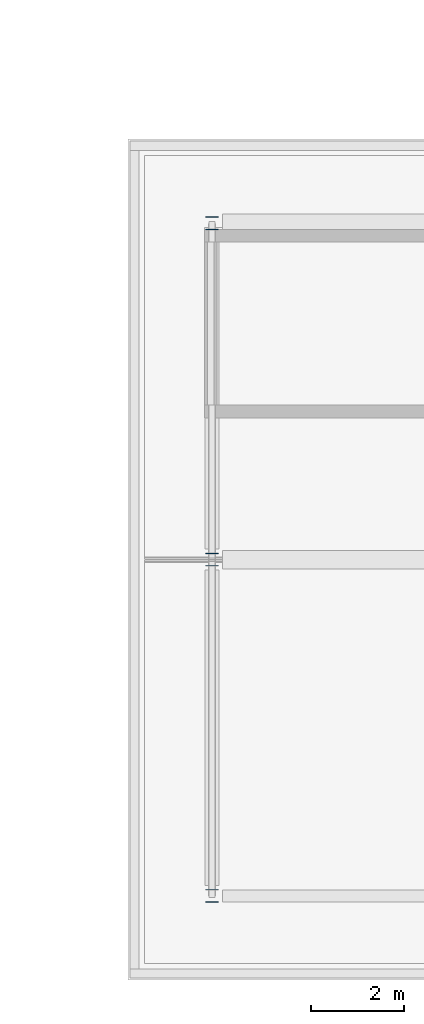
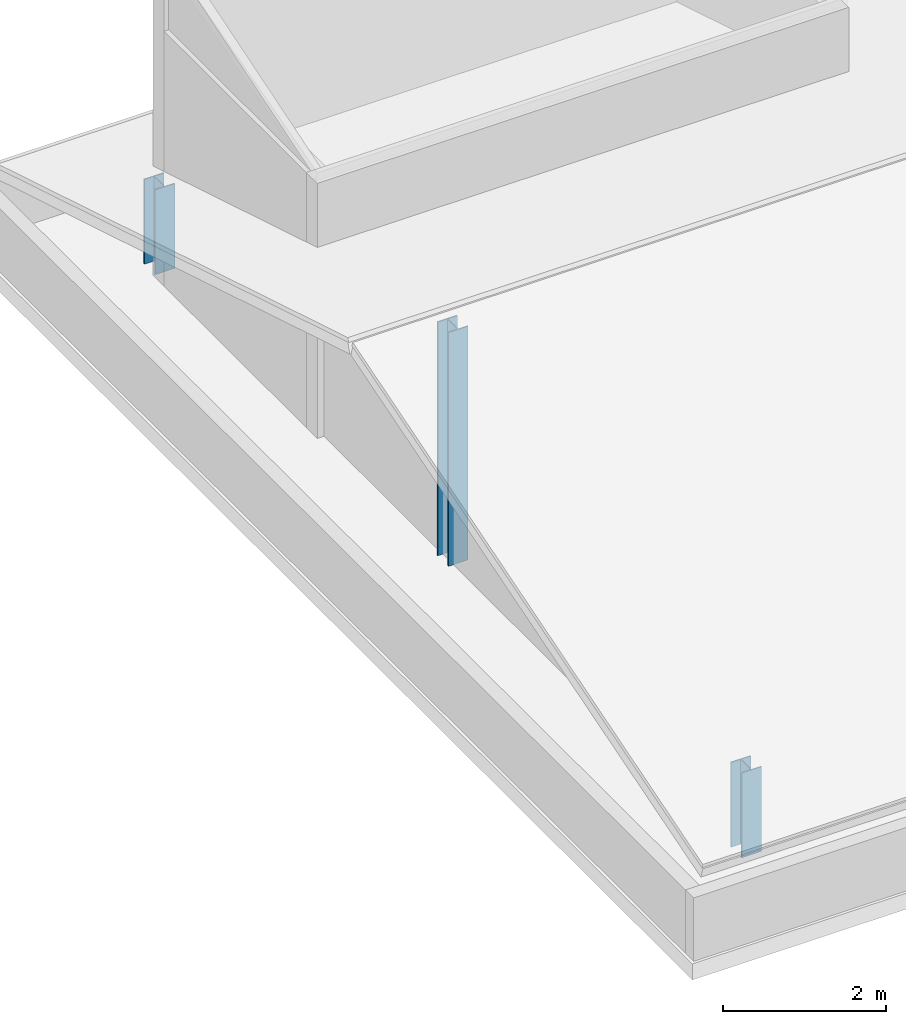
# One storey, part 1 of 45: 3 columns.
"""IFC4 building model written with IfcOpenShell, lengths in metres."""

import ifcopenshell
import ifcopenshell.guid

model = None  # the IFC model being written
_history = None  # IfcOwnerHistory: only IFC2X3 demands one
_inside = {}  # id of a spatial element -> (the spatial element, [elements in it])
_under = {}  # id of a project, library or spatial element -> (it, [spatial elements below it])
_declared = {}  # id of a project -> (the project, [libraries it declares])
_typed = {}  # id of a type object -> (the type object, [elements of that type])
_made_of = {}  # id of a material, layer set ... -> (it, [elements and type objects made of it])


def new_model(schema):
    """Start an empty IFC model of exactly this schema.

    Asked for "IFC4X3", IfcOpenShell would pick the latest addendum, in which some entities
    have other attributes; the version numbers below select the first issue.
    IFC2X3 requires an IfcOwnerHistory on every rooted entity: one is made here for all.
    """
    global model, _history
    if schema == "IFC4X3":
        model = ifcopenshell.file(schema_version=(4, 3, 0, 0))
    else:
        model = ifcopenshell.file(schema=schema)
    _inside.clear()
    _under.clear()
    _declared.clear()
    _typed.clear()
    _made_of.clear()
    _history = None
    if model.schema == "IFC2X3":
        org = make("IfcOrganization", Name="unknown")
        user = make(
            "IfcPersonAndOrganization",
            ThePerson=make("IfcPerson", FamilyName="unknown"),
            TheOrganization=org,
        )
        app = make(
            "IfcApplication",
            ApplicationDeveloper=org,
            Version="unknown",
            ApplicationFullName="unknown",
            ApplicationIdentifier="unknown",
        )
        _history = make(
            "IfcOwnerHistory",
            OwningUser=user,
            OwningApplication=app,
            ChangeAction="ADDED",
            CreationDate=0,
        )
    return model


def make(cls, **values):
    """One entity of the class cls with the attributes given. An attribute that is None is left unset."""
    return model.create_entity(
        cls, **{name: value for name, value in values.items() if value is not None}
    )


def rooted(cls, **values):
    """An entity with a GlobalId (a new one), such as an element, a storey or a relation."""
    return make(cls, GlobalId=ifcopenshell.guid.new(), OwnerHistory=_history, **values)


def si_unit(unit_type, name, prefix=None):
    """IfcSIUnit, for example si_unit("LENGTHUNIT", "METRE", prefix="MILLI")."""
    return make("IfcSIUnit", UnitType=unit_type, Prefix=prefix, Name=name)


def assignment(units):
    """IfcUnitAssignment: the units of a project."""
    return None if units is None else make("IfcUnitAssignment", Units=units)


def point(xyz):
    """IfcCartesianPoint."""
    return None if xyz is None else make("IfcCartesianPoint", Coordinates=xyz)


def direction(xyz):
    """IfcDirection."""
    return None if xyz is None else make("IfcDirection", DirectionRatios=xyz)


def frame(location, z_axis=None, x_axis=None):
    """IfcAxis2Placement3D, a coordinate frame: its origin and axes. An axis left out is left unset."""
    return make(
        "IfcAxis2Placement3D",
        Location=point(location),
        Axis=direction(z_axis),
        RefDirection=direction(x_axis),
    )


def frame_2d(location, x_axis=None):
    """IfcAxis2Placement2D, a coordinate frame in the plane: its origin and x axis."""
    return make(
        "IfcAxis2Placement2D", Location=point(location), RefDirection=direction(x_axis)
    )


def origin():
    """The frame at (0, 0, 0) with its axes left unset."""
    return frame((0.0, 0.0, 0.0))


def origin_2d():
    """The frame at (0, 0) in the plane with its x axis left unset."""
    return frame_2d((0.0, 0.0))


def place(relative_to, where):
    """IfcLocalPlacement: puts the frame where relative to a parent placement (None: the world)."""
    return make(
        "IfcLocalPlacement", PlacementRelTo=relative_to, RelativePlacement=where
    )


def context(
    kind, dimensions, precision=None, world=None, true_north=None, identifier=None
):
    """IfcGeometricRepresentationContext, for example the 3D "Model" context."""
    return make(
        "IfcGeometricRepresentationContext",
        ContextIdentifier=identifier,
        ContextType=kind,
        CoordinateSpaceDimension=dimensions,
        Precision=precision,
        WorldCoordinateSystem=world,
        TrueNorth=true_north,
    )


def subcontext(parent, identifier, kind, view, scale=None):
    """IfcGeometricRepresentationSubContext, for example "Body" below "Model"."""
    return make(
        "IfcGeometricRepresentationSubContext",
        ContextIdentifier=identifier,
        ContextType=kind,
        ParentContext=parent,
        TargetScale=scale,
        TargetView=view,
    )


def project(units=None, contexts=None):
    """IfcProject with its units and contexts."""
    return rooted(
        "IfcProject",
        Name="project",
        RepresentationContexts=contexts,
        UnitsInContext=assignment(units),
    )


def spatial(cls, under=None, at=None, **own):
    """A site, building, storey or space (cls), placed at a placement, below another one or the project."""
    s = rooted(cls, ObjectPlacement=at, **own)
    if under is not None:
        _under.setdefault(under.id(), (under, []))[1].append(s)
    return s


def profile(cls, at=None, kind="AREA", **sizes):
    """A parametric profile (cls). Its sizes go by their IFC names, for example OverallWidth=200.0."""
    return make(cls, ProfileType=kind, Position=at, **sizes)


def i_section(**sizes):
    """IfcIShapeProfileDef."""
    return profile("IfcIShapeProfileDef", **sizes)


def extrude(swept, where, along, depth):
    """IfcExtrudedAreaSolid: the profile swept, set in the frame where, extruded along a direction by depth."""
    return make(
        "IfcExtrudedAreaSolid",
        SweptArea=swept,
        Position=where,
        ExtrudedDirection=direction(along),
        Depth=depth,
    )


def shape(context_of_items, identifier, shape_type, items):
    """IfcShapeRepresentation: the items that make up one representation, for example the "Body"."""
    return make(
        "IfcShapeRepresentation",
        ContextOfItems=context_of_items,
        RepresentationIdentifier=identifier,
        RepresentationType=shape_type,
        Items=items,
    )


def material(Name=None, Category=None):
    """IfcMaterial."""
    return make("IfcMaterial", Name=Name, Category=Category)


def material_profile(
    of_material, cross_section, Name=None, Category=None, Priority=None
):
    """IfcMaterialProfile: a cross section and its material."""
    return make(
        "IfcMaterialProfile",
        Name=Name,
        Material=of_material,
        Profile=cross_section,
        Priority=Priority,
        Category=Category,
    )


def profile_set(profiles, Name=None, composite=None):
    """IfcMaterialProfileSet."""
    return make(
        "IfcMaterialProfileSet",
        Name=Name,
        MaterialProfiles=profiles,
        CompositeProfile=composite,
    )


def made_of(thing, what):
    """Note that an element or type object is made of a material, layer set ...; save() writes the relation."""
    if what is not None:
        _made_of.setdefault(what.id(), (what, []))[1].append(thing)
    return thing


def type_object(cls, material=None, **own):
    """A type object (cls), such as IfcWallType, which elements share."""
    return made_of(rooted(cls, **own), material)


def element(
    cls,
    number,
    at=None,
    inside=None,
    cuts=None,
    type_object=None,
    material=None,
    context=None,
    identifier="Body",
    shape_type=None,
    held_by="IfcProductDefinitionShape",
    body=None,
    shapes=None,
    **own,
):
    """One element of the class cls, such as IfcWall. Its Tag is "e" and its number.

    at: its placement. inside: the storey or other place that contains it. cuts: it is an
    opening in that element (IfcRelVoidsElement). A single representation is given by context,
    identifier, shape_type and body (its items); several are given by shapes. held_by: the class
    of the entity that holds the representations. save() writes the other relations.
    """
    e = rooted(cls, Tag="e%d" % number, ObjectPlacement=at, **own)
    if body is not None:
        shapes = [shape(context, identifier, shape_type, body)]
    if shapes is not None:
        e.Representation = make(held_by, Representations=shapes)
    if inside is not None:
        _inside.setdefault(inside.id(), (inside, []))[1].append(e)
    if cuts is not None:
        rooted(
            "IfcRelVoidsElement", RelatingBuildingElement=cuts, RelatedOpeningElement=e
        )
    if type_object is not None:
        _typed.setdefault(type_object.id(), (type_object, []))[1].append(e)
    return made_of(e, material)


def aggregate(whole, parts):
    """IfcRelAggregates: a whole, such as a stair, and the parts it consists of."""
    return rooted("IfcRelAggregates", RelatingObject=whole, RelatedObjects=parts)


def save(model, path):
    """Write the relations noted so far, then the file.

    IfcRelAggregates (storeys below a building ...), IfcRelContainedInSpatialStructure (elements
    in a storey), IfcRelDefinesByType, IfcRelAssociatesMaterial and IfcRelDeclares: one each for
    every whole, place, type object, material and project.
    """
    for whole, parts in _under.values():
        aggregate(whole, parts)
    for where, things in _inside.values():
        rooted(
            "IfcRelContainedInSpatialStructure",
            RelatedElements=things,
            RelatingStructure=where,
        )
    for kind, things in _typed.values():
        rooted("IfcRelDefinesByType", RelatedObjects=things, RelatingType=kind)
    for what, things in _made_of.values():
        rooted("IfcRelAssociatesMaterial", RelatedObjects=things, RelatingMaterial=what)
    for by, libraries in _declared.values():
        rooted("IfcRelDeclares", RelatingContext=by, RelatedDefinitions=libraries)
    model.write(path)


model = new_model("IFC4")

# Units and contexts
model_context = context("Model", 3, precision=1e-05, world=origin(), true_north=direction((0.0, 1.0)))
body_context = subcontext(model_context, "Body", "Model", "MODEL_VIEW")
ifc_project = project(units=[si_unit("LENGTHUNIT", "METRE"), si_unit("AREAUNIT", "SQUARE_METRE"), si_unit("VOLUMEUNIT", "CUBIC_METRE"), si_unit("PLANEANGLEUNIT", "RADIAN"), si_unit("MASSUNIT", "GRAM", prefix="KILO")], contexts=[model_context])

# Site, building, storey
site_placement = place(None, origin())
site = spatial("IfcSite", under=ifc_project, at=site_placement, CompositionType="ELEMENT")
building_placement = place(site_placement, origin())
building = spatial("IfcBuilding", under=site, at=building_placement, Name="Suanplinth Sawtooth Commons", CompositionType="ELEMENT")
storey_placement = place(building_placement, frame((0.0, 0.0, 38.0)))
storey = spatial("IfcBuildingStorey", under=building, at=storey_placement, Name="L11", CompositionType="ELEMENT", Elevation=38.0)

# Columns
ifc_material = material(Name="Steel S355JR", Category="steel")
ifc_material_profile = material_profile(ifc_material, i_section(OverallWidth=0.280029296875, OverallDepth=0.280029296875, WebThickness=0.010498046875, FlangeThickness=0.01806640625, at=origin_2d()), Name="HEB 280")
ifc_profile_set = profile_set([ifc_material_profile], Name="Steel S355JR")
column_type = type_object("IfcColumnType", Name="C-11", PredefinedType="COLUMN", material=ifc_profile_set)
column_1_placement = place(storey_placement, frame((136.800048828125, 0.0, 0.0), z_axis=(0.0, 0.0, 1.0), x_axis=(1.0, 0.0, 0.0)))
element("IfcColumn", 1, at=column_1_placement, inside=storey, type_object=column_type, Name="Crown Post C 20", PredefinedType="COLUMN", context=body_context, shape_type="SweptSolid", body=[
    extrude(i_section(OverallWidth=0.280029296875, OverallDepth=0.280029296875, WebThickness=0.010498046875, FlangeThickness=0.01806640625, at=origin_2d()), origin(), (0.0, 0.0, 1.0), 1.27001953125),
])
column_2_placement = place(storey_placement, frame((136.800048828125, 7.199951171875, 0.0), z_axis=(0.0, 0.0, 1.0), x_axis=(1.0, 0.0, 0.0)))
element("IfcColumn", 2, at=column_2_placement, inside=storey, type_object=column_type, Name="Crown Post C 20", PredefinedType="COLUMN", context=body_context, shape_type="SweptSolid", body=[
    extrude(i_section(OverallWidth=0.280029296875, OverallDepth=0.280029296875, WebThickness=0.010498046875, FlangeThickness=0.01806640625, at=origin_2d()), origin(), (0.0, 0.0, 1.0), 3.5),
])
column_3_placement = place(storey_placement, frame((136.800048828125, 14.39990234375, 0.0), z_axis=(0.0, 0.0, 1.0), x_axis=(1.0, 0.0, 0.0)))
element("IfcColumn", 3, at=column_3_placement, inside=storey, type_object=column_type, Name="Crown Post C 20", PredefinedType="COLUMN", context=body_context, shape_type="SweptSolid", body=[
    extrude(i_section(OverallWidth=0.280029296875, OverallDepth=0.280029296875, WebThickness=0.010498046875, FlangeThickness=0.01806640625, at=origin_2d()), origin(), (0.0, 0.0, 1.0), 1.27001953125),
])

save(model, "model.ifc")
